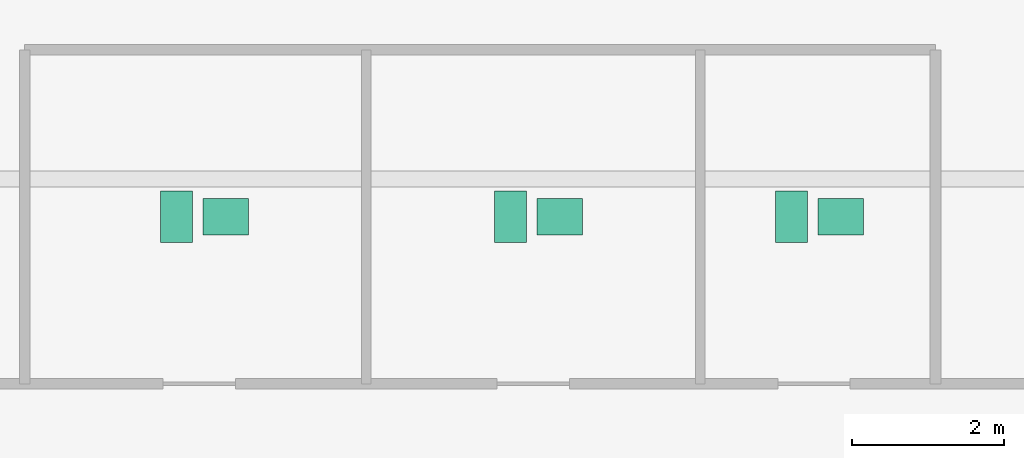
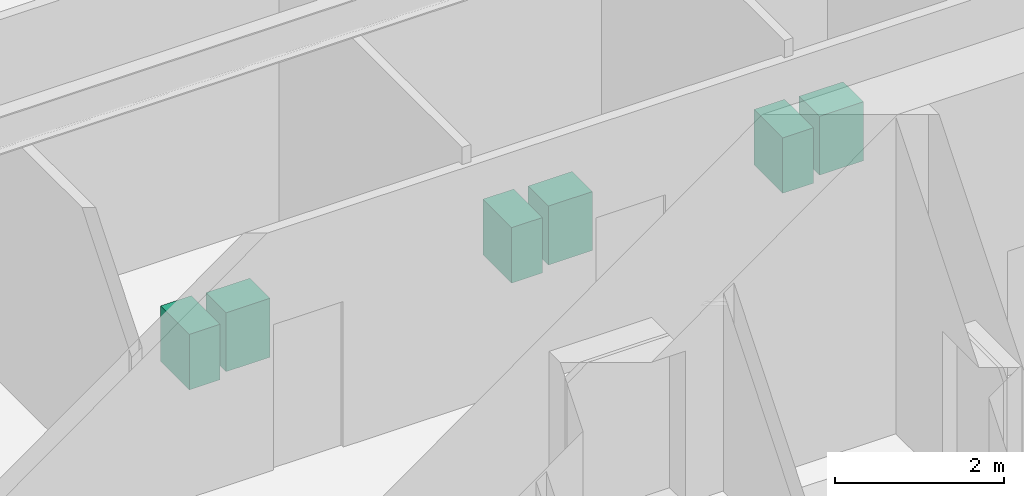
# One storey, part 9 of 9: 6 sanitary terminals.
"""IFC4 building model written with IfcOpenShell, lengths in metres."""

from ifc_helpers import new_model, si_unit, direction, frame, origin, origin_2d, place, context, subcontext, project, spatial, rectangle, extrude, source, transform, mapped, material, type_object, type_shapes, element, save


model = new_model("IFC4")

# Units and contexts
model_context = context("Model", 3, precision=1e-05, world=origin(), true_north=direction((0.0, 1.0)))
body_context = subcontext(model_context, "Body", "Model", "MODEL_VIEW")
ifc_project = project(units=[si_unit("LENGTHUNIT", "METRE"), si_unit("AREAUNIT", "SQUARE_METRE"), si_unit("VOLUMEUNIT", "CUBIC_METRE"), si_unit("PLANEANGLEUNIT", "RADIAN"), si_unit("MASSUNIT", "GRAM", prefix="KILO")], contexts=[model_context])

# Site, building, storey
site_placement = place(None, origin())
site = spatial("IfcSite", under=ifc_project, at=site_placement, CompositionType="ELEMENT")
building_placement = place(site_placement, origin())
building = spatial("IfcBuilding", under=site, at=building_placement, Name="Krantzveldt Concourse Tower", CompositionType="ELEMENT")
storey_placement = place(building_placement, frame((0.0, 0.0, 15.39990234375)))
storey = spatial("IfcBuildingStorey", under=building, at=storey_placement, Name="L03", CompositionType="ELEMENT", Elevation=15.39990234375)

# Sanitary terminals
ifc_material = material(Name="Vitreous china", Category="ceramic")
sanitary_terminal_type_1 = type_object("IfcSanitaryTerminalType", Name="SAN-WC-SUITE", PredefinedType="TOILETPAN", material=ifc_material)
shared_shape_1 = source(origin(), body_context, "Body", "SweptSolid", [
    extrude(rectangle(XDim=0.419921875, YDim=0.679931640625, at=origin_2d()), origin(), (0.0, 0.0, 1.0), 0.800048828125),
])
type_shapes(sanitary_terminal_type_1, [shared_shape_1])
for number, where, z_axis, x_axis, name in (
    (1, (33.0, 31.300048828125, 0.0), (0.0, 0.0, 1.0), (1.0, 0.0, 0.0), "WC-SP-L03-WCM"),
    (2, (37.39990234375, 31.300048828125, 0.0), (0.0, 0.0, 1.0), (1.0, 0.0, 0.0), "WC-SP-L03-WCF"),
    (3, (41.10009765625, 31.300048828125, 0.0), (0.0, 0.0, 1.0), (1.0, 0.0, 0.0), "WC-SP-L03-WCA"),
):
    element("IfcSanitaryTerminal", number, at=place(storey_placement, frame(where, z_axis=z_axis, x_axis=x_axis)), inside=storey, type_object=sanitary_terminal_type_1, Name=name, PredefinedType="TOILETPAN", context=body_context, shape_type="MappedRepresentation", body=[
        mapped(shared_shape_1, transform((0.0, 0.0, 0.0), x_axis=(1.0, 0.0, 0.0), y_axis=(0.0, 1.0, 0.0), z_axis=(0.0, 0.0, 1.0), scale=1.0)),
    ])
sanitary_terminal_type_2 = type_object("IfcSanitaryTerminalType", Name="SAN-BASIN-600", PredefinedType="WASHHANDBASIN", material=ifc_material)
shared_shape_2 = source(origin(), body_context, "Body", "SweptSolid", [
    extrude(rectangle(XDim=0.60009765625, YDim=0.47998046875, at=origin_2d()), origin(), (0.0, 0.0, 1.0), 0.85009765625),
])
type_shapes(sanitary_terminal_type_2, [shared_shape_2])
for number, where, z_axis, x_axis, name in (
    (4, (33.64990234375, 31.300048828125, 0.005126953125), (0.0, 0.0, 1.0), (1.0, 0.0, 0.0), "BSN-SP-L03-WCM"),
    (5, (38.050048828125, 31.300048828125, 0.005126953125), (0.0, 0.0, 1.0), (1.0, 0.0, 0.0), "BSN-SP-L03-WCF"),
    (6, (41.75, 31.300048828125, 0.005126953125), (0.0, 0.0, 1.0), (1.0, 0.0, 0.0), "BSN-SP-L03-WCA"),
):
    element("IfcSanitaryTerminal", number, at=place(storey_placement, frame(where, z_axis=z_axis, x_axis=x_axis)), inside=storey, type_object=sanitary_terminal_type_2, Name=name, PredefinedType="WASHHANDBASIN", context=body_context, shape_type="MappedRepresentation", body=[
        mapped(shared_shape_2, transform((0.0, 0.0, 0.0), x_axis=(1.0, 0.0, 0.0), y_axis=(0.0, 1.0, 0.0), z_axis=(0.0, 0.0, 1.0), scale=1.0)),
    ])

save(model, "model.ifc")
